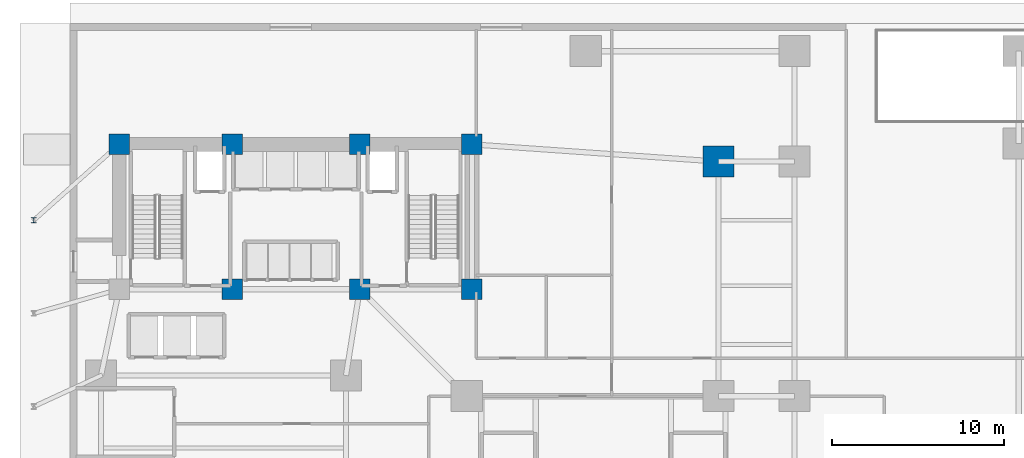
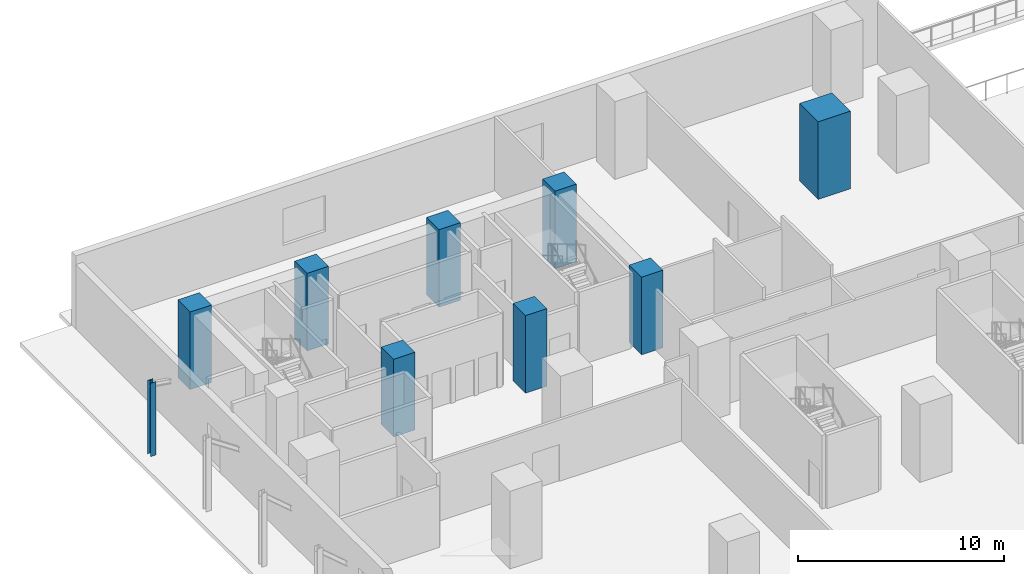
# One storey, part 3 of 14: 9 columns.
"""IFC4 building model written with IfcOpenShell, lengths in metres."""

from ifc_helpers import new_model, si_unit, direction, frame, origin, origin_2d, place, context, subcontext, project, spatial, rectangle, i_section, extrude, material, material_profile, profile_set, type_object, element, save


model = new_model("IFC4")

# Units and contexts
model_context = context("Model", 3, precision=1e-05, world=origin(), true_north=direction((0.0, 1.0)))
body_context = subcontext(model_context, "Body", "Model", "MODEL_VIEW")
ifc_project = project(units=[si_unit("LENGTHUNIT", "METRE"), si_unit("AREAUNIT", "SQUARE_METRE"), si_unit("VOLUMEUNIT", "CUBIC_METRE"), si_unit("PLANEANGLEUNIT", "RADIAN"), si_unit("MASSUNIT", "GRAM", prefix="KILO")], contexts=[model_context])

# Site, building, storey
site_placement = place(None, origin())
site = spatial("IfcSite", under=ifc_project, at=site_placement, CompositionType="ELEMENT")
building_placement = place(site_placement, origin())
building = spatial("IfcBuilding", under=site, at=building_placement, Name="Kuzgunbayir Cultural Tower", CompositionType="ELEMENT")
storey_placement = place(building_placement, origin())
storey = spatial("IfcBuildingStorey", under=building, at=storey_placement, Name="L00", CompositionType="ELEMENT", Elevation=0.0)

# Columns
ifc_material_1 = material(Name="Steel S355J2", Category="steel")
ifc_material_profile_1 = material_profile(ifc_material_1, i_section(OverallWidth=0.300048828125, OverallDepth=0.300048828125, WebThickness=0.010986328125, FlangeThickness=0.01904296875, FilletRadius=0.027099609375, at=origin_2d()), Name="HEB 300")
ifc_profile_set_1 = profile_set([ifc_material_profile_1], Name="Steel S355J2")
column_type_1 = type_object("IfcColumnType", Name="COL-COLONNADE-HEB300", PredefinedType="COLUMN", material=ifc_profile_set_1)
column_1_placement = place(storey_placement, frame((1.5, 37.800048828125, 0.0), z_axis=(0.0, 0.0, 1.0), x_axis=(1.0, 0.0, 0.0)))
element("IfcColumn", 1, at=column_1_placement, inside=storey, type_object=column_type_1, Name="L00 West Civic Colonnade Column 6", PredefinedType="COLUMN", context=body_context, shape_type="SweptSolid", body=[
    extrude(i_section(OverallWidth=0.300048828125, OverallDepth=0.300048828125, WebThickness=0.010986328125, FlangeThickness=0.01904296875, FilletRadius=0.027099609375, at=origin_2d()), origin(), (0.0, 0.0, 1.0), 4.35009765625),
])
ifc_material_2 = material(Name="Concrete C60/75", Category="concrete")
ifc_material_profile_2 = material_profile(ifc_material_2, rectangle(XDim=1.199951171875, YDim=1.199951171875, at=origin_2d()), Name="RC 1200x1200")
ifc_profile_set_2 = profile_set([ifc_material_profile_2], Name="Concrete C60/75")
column_type_2 = type_object("IfcColumnType", Name="COL-CORE-1200", PredefinedType="COLUMN", material=ifc_profile_set_2)
for number, where, z_axis, x_axis, name in (
    (2, (13.0, 33.800048828125, 0.0), (0.0, 0.0, 1.0), (1.0, 0.0, 0.0), "L00 T1 Core Boundary Column CC1-2"),
    (3, (20.39990234375, 33.800048828125, 0.0), (0.0, 0.0, 1.0), (1.0, 0.0, 0.0), "L00 T1 Core Boundary Column CC1-3"),
    (4, (26.89990234375, 33.800048828125, 0.0), (0.0, 0.0, 1.0), (1.0, 0.0, 0.0), "L00 T1 Core Boundary Column CC1-4"),
    (5, (6.449951171875, 42.199951171875, 0.0), (0.0, 0.0, 1.0), (1.0, 0.0, 0.0), "L00 T1 Core Boundary Column CC1-5"),
    (6, (13.0, 42.199951171875, 0.0), (0.0, 0.0, 1.0), (1.0, 0.0, 0.0), "L00 T1 Core Boundary Column CC1-6"),
    (7, (20.39990234375, 42.199951171875, 0.0), (0.0, 0.0, 1.0), (1.0, 0.0, 0.0), "L00 T1 Core Boundary Column CC1-7"),
    (8, (26.89990234375, 42.199951171875, 0.0), (0.0, 0.0, 1.0), (1.0, 0.0, 0.0), "L00 T1 Core Boundary Column CC1-8"),
):
    element("IfcColumn", number, at=place(storey_placement, frame(where, z_axis=z_axis, x_axis=x_axis)), inside=storey, type_object=column_type_2, Name=name, PredefinedType="COLUMN", context=body_context, shape_type="SweptSolid", body=[
        extrude(rectangle(XDim=1.199951171875, YDim=1.199951171875, at=origin_2d()), origin(), (0.0, 0.0, 1.0), 4.60009765625),
    ])
ifc_material_profile_3 = material_profile(ifc_material_2, rectangle(XDim=1.800048828125, YDim=1.800048828125, at=origin_2d()), Name="RC 1800x1800")
ifc_profile_set_3 = profile_set([ifc_material_profile_3], Name="Concrete C60/75")
column_type_3 = type_object("IfcColumnType", Name="COL-MEGA-1800", PredefinedType="COLUMN", material=ifc_profile_set_3)
column_2_placement = place(storey_placement, frame((41.199951171875, 41.199951171875, 0.0), z_axis=(0.0, 0.0, 1.0), x_axis=(1.0, 0.0, 0.0)))
element("IfcColumn", 9, at=column_2_placement, inside=storey, type_object=column_type_3, Name="L00 Podium Mega-Column PC-T1B-4N", PredefinedType="COLUMN", context=body_context, shape_type="SweptSolid", body=[
    extrude(rectangle(XDim=1.800048828125, YDim=1.800048828125, at=origin_2d()), origin(), (0.0, 0.0, 1.0), 4.60009765625),
])

save(model, "model.ifc")
